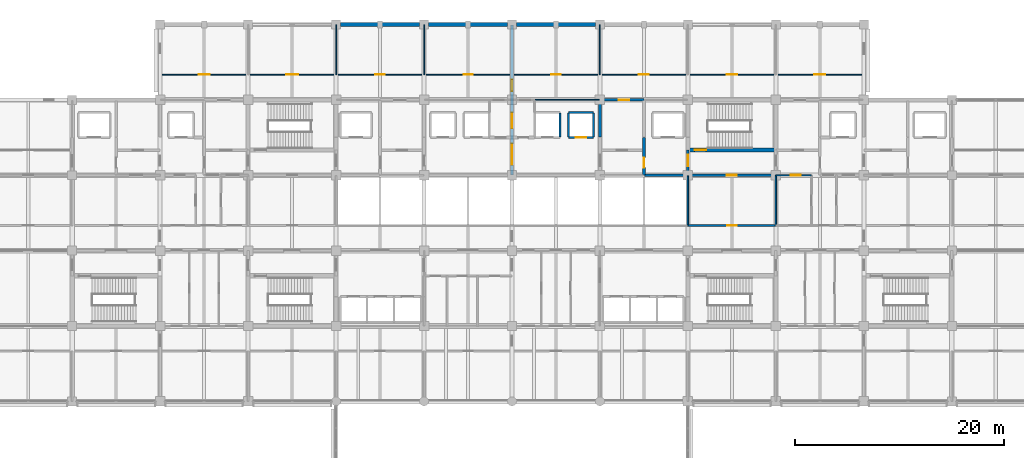
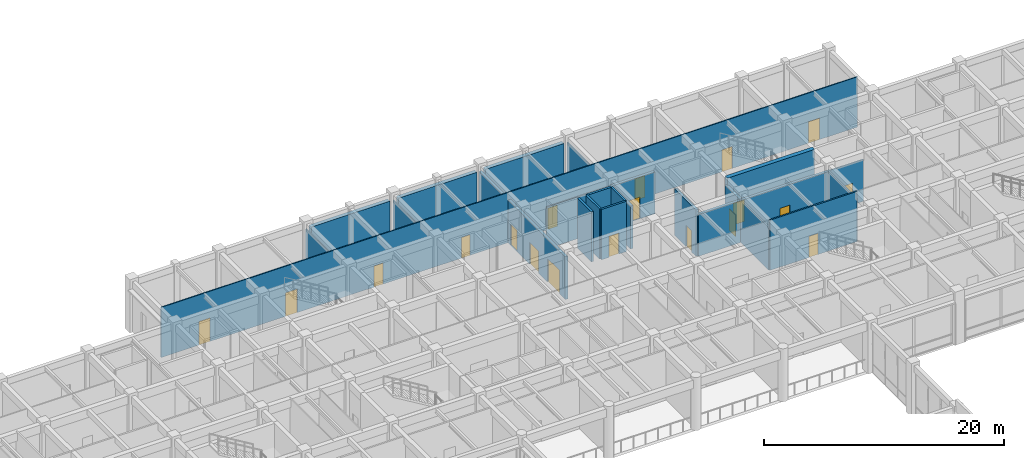
# One storey, part 51 of 68: 25 walls, 19 doors, 19 openings.
"""IFC4 building model written with IfcOpenShell, lengths in metres."""

from ifc_helpers import new_model, si_unit, direction, frame, frame_2d, origin, place, context, subcontext, project, spatial, rectangle, extrude, material, layer, layer_set, type_object, element, fill, save


model = new_model("IFC4")

# Units and contexts
model_context = context("Model", 3, precision=1e-05, world=origin(), true_north=direction((0.0, 1.0)))
body_context = subcontext(model_context, "Body", "Model", "MODEL_VIEW")
ifc_project = project(units=[si_unit("LENGTHUNIT", "METRE"), si_unit("AREAUNIT", "SQUARE_METRE"), si_unit("VOLUMEUNIT", "CUBIC_METRE"), si_unit("PLANEANGLEUNIT", "RADIAN"), si_unit("MASSUNIT", "GRAM", prefix="KILO")], contexts=[model_context])

# Site, building, storey
site_placement = place(None, origin())
site = spatial("IfcSite", under=ifc_project, at=site_placement, CompositionType="ELEMENT")
building_placement = place(site_placement, origin())
building = spatial("IfcBuilding", under=site, at=building_placement, Name="Chengyuan Square Courthouse", CompositionType="ELEMENT")
storey_placement = place(building_placement, frame((0.0, 0.0, 5.39990234375)))
storey = spatial("IfcBuildingStorey", under=building, at=storey_placement, Name="L02", CompositionType="ELEMENT", Elevation=5.39990234375)

# Walls
ifc_material_1 = material(Name="Concrete C40", Category="concrete")
ifc_layer_1 = layer(ifc_material_1, 0.3798828125)
ifc_layer_set_1 = layer_set([ifc_layer_1], Name="Concrete C40")
wall_type_1 = type_object("IfcWallType", Name="WL-EW1", PredefinedType="STANDARD", material=ifc_layer_set_1)
wall_1_placement = place(storey_placement, frame((67.6201171875, 115.199951171875, 0.0), z_axis=(0.0, 0.0, 1.0), x_axis=(1.0, 0.0, 0.0)))
element("IfcWall", 1, at=wall_1_placement, inside=storey, type_object=wall_type_1, Name="Exterior Wall WL-L02-E230", PredefinedType="STANDARD", context=body_context, shape_type="SweptSolid", body=[
    extrude(rectangle(XDim=7.559814453125, YDim=0.3798828125, at=frame_2d((3.77978515625, 0.0))), origin(), (0.0, 0.0, 1.0), 4.47021484375),
])
for number, where, z_axis, x_axis, name in (
    (2, (76.02001953125, 115.199951171875, 0.0), (0.0, 0.0, 1.0), (1.0, 0.0, 0.0), "Exterior Wall WL-L02-E231"),
    (3, (84.419921875, 115.199951171875, 0.0), (0.0, 0.0, 1.0), (1.0, 0.0, 0.0), "Exterior Wall WL-L02-E232"),
):
    element("IfcWall", number, at=place(storey_placement, frame(where, z_axis=z_axis, x_axis=x_axis)), inside=storey, type_object=wall_type_1, Name=name, PredefinedType="STANDARD", context=body_context, shape_type="SweptSolid", body=[
        extrude(rectangle(XDim=7.56005859375, YDim=0.3798828125, at=frame_2d((3.780029296875, 0.0))), origin(), (0.0, 0.0, 1.0), 4.47021484375),
    ])
ifc_layer_2 = layer(ifc_material_1, 0.25)
ifc_layer_set_2 = layer_set([ifc_layer_2], Name="Concrete C40")
wall_type_2 = type_object("IfcWallType", Name="WL-FW1", PredefinedType="STANDARD", material=ifc_layer_set_2)
wall_2_placement = place(storey_placement, frame((96.64990234375, 100.800048828125, 0.0), z_axis=(0.0, 0.0, 1.0), x_axis=(1.0, 0.0, 0.0)))
element("IfcWall", 4, at=wall_2_placement, inside=storey, type_object=wall_type_2, Name="Interior Wall WL-L02-I1141", PredefinedType="STANDARD", context=body_context, shape_type="SweptSolid", body=[
    extrude(rectangle(XDim=4.10009765625, YDim=0.25, at=frame_2d((2.050048828125, 0.0))), origin(), (0.0, 0.0, 1.0), 4.27001953125),
])

# Wall, opening, door
wall_3_placement = place(storey_placement, frame((100.800048828125, 100.800048828125, 0.0), z_axis=(0.0, 0.0, 1.0), x_axis=(1.0, 0.0, 0.0)))
wall_3 = element("IfcWall", 5, at=wall_3_placement, inside=storey, type_object=wall_type_2, Name="Interior Wall WL-L02-I1142", PredefinedType="STANDARD", context=body_context, shape_type="SweptSolid", body=[
    extrude(rectangle(XDim=8.39990234375, YDim=0.25, at=frame_2d((4.199951171875, 0.0))), origin(), (0.0, 0.0, 1.0), 4.27001953125),
])
opening_1_placement = place(wall_3_placement, frame((3.72509765625, 0.0, 0.0)))
opening_1 = element("IfcOpeningElement", 6, at=opening_1_placement, cuts=wall_3, Name="Opening DR-1014", PredefinedType="OPENING", context=body_context, shape_type="SweptSolid", body=[
    extrude(rectangle(XDim=0.949951171875, YDim=2.14990234375, at=frame_2d((0.47509765625, 1.074951171875))), frame((0.0, 0.136962890625, 0.0), z_axis=(0.0, -1.0, 0.0), x_axis=(1.0, 0.0, 0.0)), (0.0, 0.0, 1.0), 0.27392578125),
])
ifc_material_2 = material(Name="Steel Q235B Fire Door", Category="steel")
door_type_1 = type_object("IfcDoorType", Name="DT-12", OperationType="NOTDEFINED", PredefinedType="DOOR", material=ifc_material_2)
door_1_placement = place(opening_1_placement, origin())
door_1 = element("IfcDoor", 7, at=door_1_placement, inside=storey, type_object=door_type_1, Name="Interior Door DR-1014", OperationType="SINGLE_SWING_RIGHT", OverallHeight=2.14990234375, OverallWidth=0.949951171875, PredefinedType="DOOR", context=body_context, shape_type="SweptSolid", body=[
    extrude(rectangle(XDim=0.949951171875, YDim=2.14990234375, at=frame_2d((0.47509765625, 1.074951171875))), frame((0.0, 0.02490234375, 0.0), z_axis=(0.0, -1.0, 0.0), x_axis=(1.0, 0.0, 0.0)), (0.0, 0.0, 1.0), 0.050048828125),
])
fill(opening_1, door_1)

wall_4_placement = place(storey_placement, frame((92.39990234375, 108.0, 0.0), z_axis=(0.0, 0.0, 1.0), x_axis=(1.0, 0.0, 0.0)))
wall_4 = element("IfcWall", 8, at=wall_4_placement, inside=storey, type_object=wall_type_2, Name="Interior Wall WL-L02-I1193", PredefinedType="STANDARD", context=body_context, shape_type="SweptSolid", body=[
    extrude(rectangle(XDim=4.2001953125, YDim=0.25, at=frame_2d((2.10009765625, 0.0))), origin(), (0.0, 0.0, 1.0), 4.27001953125),
])
opening_2_placement = place(wall_4_placement, frame((1.784912109375, 0.0, 0.0)))
opening_2 = element("IfcOpeningElement", 9, at=opening_2_placement, cuts=wall_4, Name="Opening DR-1046", PredefinedType="OPENING", context=body_context, shape_type="SweptSolid", body=[
    extrude(rectangle(XDim=1.0, YDim=2.199951171875, at=frame_2d((0.5, 1.10009765625))), frame((0.0, 0.136962890625, 0.0), z_axis=(0.0, -1.0, 0.0), x_axis=(1.0, 0.0, 0.0)), (0.0, 0.0, 1.0), 0.27392578125),
])
door_type_2 = type_object("IfcDoorType", Name="DT-11", OperationType="NOTDEFINED", PredefinedType="DOOR", material=ifc_material_2)
door_2_placement = place(opening_2_placement, origin())
door_2 = element("IfcDoor", 10, at=door_2_placement, inside=storey, type_object=door_type_2, Name="Interior Door DR-1046", OperationType="SINGLE_SWING_RIGHT", OverallHeight=2.199951171875, OverallWidth=1.0, PredefinedType="DOOR", context=body_context, shape_type="SweptSolid", body=[
    extrude(rectangle(XDim=1.0, YDim=2.199951171875, at=frame_2d((0.5, 1.10009765625))), frame((0.0, 0.02490234375, 0.0), z_axis=(0.0, -1.0, 0.0), x_axis=(1.0, 0.0, 0.0)), (0.0, 0.0, 1.0), 0.050048828125),
])
fill(opening_2, door_2)

# Wall, openings, doors
wall_5_placement = place(storey_placement, frame((84.0, 100.800048828125, 0.0), z_axis=(0.0, 0.0, 1.0), x_axis=(0.0, 1.0, 0.0)))
wall_5 = element("IfcWall", 11, at=wall_5_placement, inside=storey, type_object=wall_type_2, Name="Interior Wall WL-L02-I1294", PredefinedType="STANDARD", context=body_context, shape_type="SweptSolid", body=[
    extrude(rectangle(XDim=14.35986328125, YDim=0.25, at=frame_2d((7.179931640625, 0.0))), origin(), (0.0, 0.0, 1.0), 4.3701171875),
])
opening_3_placement = place(wall_5_placement, frame((0.985107421875, 0.0, 0.0)))
opening_3 = element("IfcOpeningElement", 12, at=opening_3_placement, cuts=wall_5, Name="Opening DR-1057", PredefinedType="OPENING", context=body_context, shape_type="SweptSolid", body=[
    extrude(rectangle(XDim=2.0, YDim=2.39990234375, at=frame_2d((1.0, 1.199951171875))), frame((0.0, 0.136962890625, 0.0), z_axis=(0.0, -1.0, 0.0), x_axis=(1.0, 0.0, 0.0)), (0.0, 0.0, 1.0), 0.27392578125),
])
opening_4_placement = place(wall_5_placement, frame((4.465087890625, 0.0, 0.0)))
opening_4 = element("IfcOpeningElement", 13, at=opening_4_placement, cuts=wall_5, Name="Opening DR-1216", PredefinedType="OPENING", context=body_context, shape_type="SweptSolid", body=[
    extrude(rectangle(XDim=1.5, YDim=2.25, at=frame_2d((0.75, 1.125))), frame((0.0, 0.136962890625, 0.0), z_axis=(0.0, -1.0, 0.0), x_axis=(1.0, 0.0, 0.0)), (0.0, 0.0, 1.0), 0.27392578125),
])
opening_5_placement = place(wall_5_placement, frame((8.034912109375, 0.0, 0.0)))
opening_5 = element("IfcOpeningElement", 14, at=opening_5_placement, cuts=wall_5, Name="Opening DR-1219", PredefinedType="OPENING", context=body_context, shape_type="SweptSolid", body=[
    extrude(rectangle(XDim=1.10009765625, YDim=2.199951171875, at=frame_2d((0.550048828125, 1.10009765625))), frame((0.0, 0.136962890625, 0.0), z_axis=(0.0, -1.0, 0.0), x_axis=(1.0, 0.0, 0.0)), (0.0, 0.0, 1.0), 0.27392578125),
])
door_type_3 = type_object("IfcDoorType", Name="DT-10", OperationType="NOTDEFINED", PredefinedType="DOOR", material=ifc_material_2)
door_3_placement = place(opening_5_placement, origin())
door_3 = element("IfcDoor", 15, at=door_3_placement, inside=storey, type_object=door_type_3, Name="Interior Door DR-1219", OperationType="SINGLE_SWING_RIGHT", OverallHeight=2.199951171875, OverallWidth=1.10009765625, PredefinedType="DOOR", context=body_context, shape_type="SweptSolid", body=[
    extrude(rectangle(XDim=1.10009765625, YDim=2.199951171875, at=frame_2d((0.550048828125, 1.10009765625))), frame((0.0, 0.02490234375, 0.0), z_axis=(0.0, -1.0, 0.0), x_axis=(1.0, 0.0, 0.0)), (0.0, 0.0, 1.0), 0.050048828125),
])
fill(opening_5, door_3)
ifc_material_3 = material(Name="Steel Q235B Glazed Fire Door", Category="steel")
door_type_4 = type_object("IfcDoorType", Name="DT-19", OperationType="DOUBLE_DOOR_SINGLE_SWING", PredefinedType="DOOR", material=ifc_material_3)
door_4_placement = place(opening_4_placement, frame((1.5, 0.0, 0.0), z_axis=(0.0, 0.0, 1.0), x_axis=(-1.0, 0.0, 0.0)))
door_4 = element("IfcDoor", 16, at=door_4_placement, inside=storey, type_object=door_type_4, Name="Interior Door DR-1216", OperationType="DOUBLE_DOOR_SINGLE_SWING", OverallHeight=2.25, OverallWidth=1.5, PredefinedType="DOOR", context=body_context, shape_type="SweptSolid", body=[
    extrude(rectangle(XDim=1.5, YDim=2.25, at=frame_2d((0.75, 1.125))), frame((0.0, 0.02490234375, 0.0), z_axis=(0.0, -1.0, 0.0), x_axis=(1.0, 0.0, 0.0)), (0.0, 0.0, 1.0), 0.050048828125),
])
fill(opening_4, door_4)
door_type_5 = type_object("IfcDoorType", Name="DT-20", OperationType="DOUBLE_DOOR_SINGLE_SWING", PredefinedType="DOOR", material=ifc_material_3)
door_5_placement = place(opening_3_placement, frame((2.0, 0.0, 0.0), z_axis=(0.0, 0.0, 1.0), x_axis=(-1.0, 0.0, 0.0)))
door_5 = element("IfcDoor", 17, at=door_5_placement, inside=storey, type_object=door_type_5, Name="Interior Door DR-1057", OperationType="DOUBLE_DOOR_SINGLE_SWING", OverallHeight=2.39990234375, OverallWidth=2.0, PredefinedType="DOOR", context=body_context, shape_type="SweptSolid", body=[
    extrude(rectangle(XDim=2.0, YDim=2.39990234375, at=frame_2d((1.0, 1.199951171875))), frame((0.0, 0.02490234375, 0.0), z_axis=(0.0, -1.0, 0.0), x_axis=(1.0, 0.0, 0.0)), (0.0, 0.0, 1.0), 0.050048828125),
])
fill(opening_3, door_5)

# Wall
wall_6_placement = place(storey_placement, frame((92.39990234375, 104.449951171875, 0.0), z_axis=(0.0, 0.0, 1.0), x_axis=(0.0, 1.0, 0.0)))
element("IfcWall", 18, at=wall_6_placement, inside=storey, type_object=wall_type_2, Name="Interior Wall WL-L02-I1306", PredefinedType="STANDARD", context=body_context, shape_type="SweptSolid", body=[
    extrude(rectangle(XDim=3.5, YDim=0.25, at=frame_2d((1.75, 0.0))), origin(), (0.0, 0.0, 1.0), 4.3701171875),
])

# Wall, opening, door
wall_7_placement = place(storey_placement, frame((96.60009765625, 100.800048828125, 0.0), z_axis=(0.0, 0.0, 1.0), x_axis=(0.0, 1.0, 0.0)))
wall_7 = element("IfcWall", 19, at=wall_7_placement, inside=storey, type_object=wall_type_2, Name="Interior Wall WL-L02-I1310", PredefinedType="STANDARD", context=body_context, shape_type="SweptSolid", body=[
    extrude(rectangle(XDim=3.599853515625, YDim=0.25, at=frame_2d((1.7998046875, 0.0))), origin(), (0.0, 0.0, 1.0), 4.72021484375),
])
opening_6_placement = place(wall_7_placement, frame((0.72509765625, 0.0, 0.0)))
opening_6 = element("IfcOpeningElement", 20, at=opening_6_placement, cuts=wall_7, Name="Opening DR-1044", PredefinedType="OPENING", context=body_context, shape_type="SweptSolid", body=[
    extrude(rectangle(XDim=0.949951171875, YDim=2.14990234375, at=frame_2d((0.47509765625, 1.074951171875))), frame((0.0, 0.136962890625, 0.0), z_axis=(0.0, -1.0, 0.0), x_axis=(1.0, 0.0, 0.0)), (0.0, 0.0, 1.0), 0.27392578125),
])
door_6_placement = place(opening_6_placement, origin())
door_6 = element("IfcDoor", 21, at=door_6_placement, inside=storey, type_object=door_type_1, Name="Interior Door DR-1044", OperationType="SINGLE_SWING_RIGHT", OverallHeight=2.14990234375, OverallWidth=0.949951171875, PredefinedType="DOOR", context=body_context, shape_type="SweptSolid", body=[
    extrude(rectangle(XDim=0.949951171875, YDim=2.14990234375, at=frame_2d((0.47509765625, 1.074951171875))), frame((0.0, 0.02490234375, 0.0), z_axis=(0.0, -1.0, 0.0), x_axis=(1.0, 0.0, 0.0)), (0.0, 0.0, 1.0), 0.050048828125),
])
fill(opening_6, door_6)

wall_8_placement = place(storey_placement, frame((100.800048828125, 100.800048828125, 0.0), z_axis=(0.0, 0.0, 1.0), x_axis=(0.0, 1.0, 0.0)))
wall_8 = element("IfcWall", 22, at=wall_8_placement, inside=storey, type_object=wall_type_2, Name="Interior Wall WL-L02-I1321", PredefinedType="STANDARD", context=body_context, shape_type="SweptSolid", body=[
    extrude(rectangle(XDim=2.39990234375, YDim=0.25, at=frame_2d((1.199951171875, 0.0))), origin(), (0.0, 0.0, 1.0), 4.3701171875),
])
opening_7_placement = place(wall_8_placement, frame((0.8349609375, 0.0, 0.0)))
opening_7 = element("IfcOpeningElement", 23, at=opening_7_placement, cuts=wall_8, Name="Opening DR-1012", PredefinedType="OPENING", context=body_context, shape_type="SweptSolid", body=[
    extrude(rectangle(XDim=1.10009765625, YDim=2.199951171875, at=frame_2d((0.550048828125, 1.10009765625))), frame((0.0, 0.136962890625, 0.0), z_axis=(0.0, -1.0, 0.0), x_axis=(1.0, 0.0, 0.0)), (0.0, 0.0, 1.0), 0.27392578125),
])
door_7_placement = place(opening_7_placement, origin())
door_7 = element("IfcDoor", 24, at=door_7_placement, inside=storey, type_object=door_type_3, Name="Interior Door DR-1012", OperationType="SINGLE_SWING_RIGHT", OverallHeight=2.199951171875, OverallWidth=1.10009765625, PredefinedType="DOOR", context=body_context, shape_type="SweptSolid", body=[
    extrude(rectangle(XDim=1.10009765625, YDim=2.199951171875, at=frame_2d((0.550048828125, 1.10009765625))), frame((0.0, 0.02490234375, 0.0), z_axis=(0.0, -1.0, 0.0), x_axis=(1.0, 0.0, 0.0)), (0.0, 0.0, 1.0), 0.050048828125),
])
fill(opening_7, door_7)

ifc_material_4 = material(Name="Deliberation Room Sound-Insulated Partition")
ifc_layer_3 = layer(ifc_material_4, 0.14990234375)
ifc_layer_set_3 = layer_set([ifc_layer_3], Name="Deliberation Room Sound-Insulated Partition")
wall_type_3 = type_object("IfcWallType", Name="WL-PT3", PredefinedType="STANDARD", material=ifc_layer_set_3)
wall_9_placement = place(storey_placement, frame((100.800048828125, 96.0, 0.0), z_axis=(0.0, 0.0, 1.0), x_axis=(1.0, 0.0, 0.0)))
wall_9 = element("IfcWall", 25, at=wall_9_placement, inside=storey, type_object=wall_type_3, Name="Interior Wall WL-L02-I1119", PredefinedType="STANDARD", context=body_context, shape_type="SweptSolid", body=[
    extrude(rectangle(XDim=8.39990234375, YDim=0.14990234375, at=frame_2d((4.199951171875, 0.0))), origin(), (0.0, 0.0, 1.0), 5.1201171875),
])
opening_8_placement = place(wall_9_placement, frame((3.75, 0.0, 0.0)))
opening_8 = element("IfcOpeningElement", 26, at=opening_8_placement, cuts=wall_9, Name="Opening DR-1137", PredefinedType="OPENING", context=body_context, shape_type="SweptSolid", body=[
    extrude(rectangle(XDim=0.89990234375, YDim=2.14990234375, at=frame_2d((0.449951171875, 1.074951171875))), frame((0.0, 0.0869140625, 0.0), z_axis=(0.0, -1.0, 0.0), x_axis=(1.0, 0.0, 0.0)), (0.0, 0.0, 1.0), 0.173828125),
])
ifc_material_5 = material(Name="Acoustic Solid-Core Timber Door", Category="wood")
door_type_6 = type_object("IfcDoorType", Name="DT-27", OperationType="NOTDEFINED", PredefinedType="DOOR", material=ifc_material_5)
door_8_placement = place(opening_8_placement, origin())
door_8 = element("IfcDoor", 27, at=door_8_placement, inside=storey, type_object=door_type_6, Name="Interior Door DR-1137", OperationType="SINGLE_SWING_LEFT", OverallHeight=2.14990234375, OverallWidth=0.89990234375, PredefinedType="DOOR", context=body_context, shape_type="SweptSolid", body=[
    extrude(rectangle(XDim=0.89990234375, YDim=2.14990234375, at=frame_2d((0.449951171875, 1.074951171875))), frame((0.0, 0.02490234375, 0.0), z_axis=(0.0, -1.0, 0.0), x_axis=(1.0, 0.0, 0.0)), (0.0, 0.0, 1.0), 0.050048828125),
])
fill(opening_8, door_8)

# Walls
wall_10_placement = place(storey_placement, frame((100.800048828125, 96.050048828125, 0.0), z_axis=(0.0, 0.0, 1.0), x_axis=(0.0, 1.0, 0.0)))
element("IfcWall", 28, at=wall_10_placement, inside=storey, type_object=wall_type_3, Name="Interior Wall WL-L02-I1320", PredefinedType="STANDARD", context=body_context, shape_type="SweptSolid", body=[
    extrude(rectangle(XDim=4.699951171875, YDim=0.14990234375, at=frame_2d((2.35009765625, 0.0))), origin(), (0.0, 0.0, 1.0), 4.3701171875),
])
wall_11_placement = place(storey_placement, frame((109.199951171875, 96.0, 0.0), z_axis=(0.0, 0.0, 1.0), x_axis=(0.0, 1.0, 0.0)))
element("IfcWall", 29, at=wall_11_placement, inside=storey, type_object=wall_type_3, Name="Interior Wall WL-L02-I1328", PredefinedType="STANDARD", context=body_context, shape_type="SweptSolid", body=[
    extrude(rectangle(XDim=4.800048828125, YDim=0.14990234375, at=frame_2d((2.39990234375, 0.0))), origin(), (0.0, 0.0, 1.0), 4.3701171875),
])

# Wall, opening, door
ifc_material_6 = material(Name="Gypsum Plasterboard Acoustic Stud Partition")
ifc_layer_4 = layer(ifc_material_6, 0.10009765625)
ifc_layer_set_4 = layer_set([ifc_layer_4], Name="Gypsum Plasterboard Acoustic Stud Partition")
wall_type_4 = type_object("IfcWallType", Name="WL-PT6", PredefinedType="STANDARD", material=ifc_layer_set_4)
wall_12_placement = place(storey_placement, frame((109.199951171875, 100.800048828125, 0.0), z_axis=(0.0, 0.0, 1.0), x_axis=(1.0, 0.0, 0.0)))
wall_12 = element("IfcWall", 30, at=wall_12_placement, inside=storey, type_object=wall_type_4, Name="Interior Wall WL-L02-I1143", PredefinedType="STANDARD", context=body_context, shape_type="SweptSolid", body=[
    extrude(rectangle(XDim=3.400146484375, YDim=0.10009765625, at=frame_2d((1.7001953125, 0.0))), origin(), (0.0, 0.0, 1.0), 4.27001953125),
])
opening_9_placement = place(wall_12_placement, frame((1.405029296875, 0.0, 0.0)))
opening_9 = element("IfcOpeningElement", 31, at=opening_9_placement, cuts=wall_12, Name="Opening DR-1072", PredefinedType="OPENING", context=body_context, shape_type="SweptSolid", body=[
    extrude(rectangle(XDim=0.9599609375, YDim=2.199951171875, at=frame_2d((0.47998046875, 1.10009765625))), frame((0.0, 0.06201171875, 0.0), z_axis=(0.0, -1.0, 0.0), x_axis=(1.0, 0.0, 0.0)), (0.0, 0.0, 1.0), 0.1240234375),
])
door_type_7 = type_object("IfcDoorType", Name="DT-30", OperationType="NOTDEFINED", PredefinedType="DOOR", material=ifc_material_5)
door_9_placement = place(opening_9_placement, origin())
door_9 = element("IfcDoor", 32, at=door_9_placement, inside=storey, type_object=door_type_7, Name="Interior Door DR-1072", OperationType="SINGLE_SWING_LEFT", OverallHeight=2.199951171875, OverallWidth=0.9599609375, PredefinedType="DOOR", context=body_context, shape_type="SweptSolid", body=[
    extrude(rectangle(XDim=0.9599609375, YDim=2.199951171875, at=frame_2d((0.47998046875, 1.10009765625))), frame((0.0, 0.02490234375, 0.0), z_axis=(0.0, -1.0, 0.0), x_axis=(1.0, 0.0, 0.0)), (0.0, 0.0, 1.0), 0.050048828125),
])
fill(opening_9, door_9)

# Wall
wall_13_placement = place(storey_placement, frame((86.199951171875, 108.0, 0.0), z_axis=(0.0, 0.0, 1.0), x_axis=(1.0, 0.0, 0.0)))
element("IfcWall", 33, at=wall_13_placement, inside=storey, type_object=wall_type_4, Name="Interior Wall WL-L02-I1192", PredefinedType="STANDARD", context=body_context, shape_type="SweptSolid", body=[
    extrude(rectangle(XDim=6.150146484375, YDim=0.10009765625, at=frame_2d((3.0751953125, 0.0))), origin(), (0.0, 0.0, 1.0), 4.27001953125),
])

# Wall, openings, doors
wall_14_placement = place(storey_placement, frame((50.43994140625, 110.39990234375, 0.0), z_axis=(0.0, 0.0, 1.0), x_axis=(1.0, 0.0, 0.0)))
wall_14 = element("IfcWall", 34, at=wall_14_placement, inside=storey, type_object=wall_type_4, Name="Interior Wall WL-L02-I1198", PredefinedType="STANDARD", context=body_context, shape_type="SweptSolid", body=[
    extrude(rectangle(XDim=67.1201171875, YDim=0.10009765625, at=frame_2d((33.56005859375, 0.0))), origin(), (0.0, 0.0, 1.0), 5.1201171875),
])
opening_10_placement = place(wall_14_placement, frame((3.64990234375, 0.0, 0.0)))
opening_10 = element("IfcOpeningElement", 35, at=opening_10_placement, cuts=wall_14, Name="Opening DR-1220", PredefinedType="OPENING", context=body_context, shape_type="SweptSolid", body=[
    extrude(rectangle(XDim=1.06005859375, YDim=2.39990234375, at=frame_2d((0.530029296875, 1.199951171875))), frame((0.0, 0.06201171875, 0.0), z_axis=(0.0, -1.0, 0.0), x_axis=(1.0, 0.0, 0.0)), (0.0, 0.0, 1.0), 0.1240234375),
])
opening_11_placement = place(wall_14_placement, frame((11.989990234375, 0.0, 0.0)))
opening_11 = element("IfcOpeningElement", 36, at=opening_11_placement, cuts=wall_14, Name="Opening DR-1221", PredefinedType="OPENING", context=body_context, shape_type="SweptSolid", body=[
    extrude(rectangle(XDim=1.139892578125, YDim=2.39990234375, at=frame_2d((0.56982421875, 1.199951171875))), frame((0.0, 0.06201171875, 0.0), z_axis=(0.0, -1.0, 0.0), x_axis=(1.0, 0.0, 0.0)), (0.0, 0.0, 1.0), 0.1240234375),
])
opening_12_placement = place(wall_14_placement, frame((20.510009765625, 0.0, 0.0)))
opening_12 = element("IfcOpeningElement", 37, at=opening_12_placement, cuts=wall_14, Name="Opening DR-1222", PredefinedType="OPENING", context=body_context, shape_type="SweptSolid", body=[
    extrude(rectangle(XDim=0.89990234375, YDim=2.14990234375, at=frame_2d((0.449951171875, 1.074951171875))), frame((0.0, 0.06201171875, 0.0), z_axis=(0.0, -1.0, 0.0), x_axis=(1.0, 0.0, 0.0)), (0.0, 0.0, 1.0), 0.1240234375),
])
opening_13_placement = place(wall_14_placement, frame((28.929931640625, 0.0, 0.0)))
opening_13 = element("IfcOpeningElement", 38, at=opening_13_placement, cuts=wall_14, Name="Opening DR-1223", PredefinedType="OPENING", context=body_context, shape_type="SweptSolid", body=[
    extrude(rectangle(XDim=0.860107421875, YDim=2.10009765625, at=frame_2d((0.43017578125, 1.050048828125))), frame((0.0, 0.06201171875, 0.0), z_axis=(0.0, -1.0, 0.0), x_axis=(1.0, 0.0, 0.0)), (0.0, 0.0, 1.0), 0.1240234375),
])
opening_14_placement = place(wall_14_placement, frame((37.300048828125, 0.0, 0.0)))
opening_14 = element("IfcOpeningElement", 39, at=opening_14_placement, cuts=wall_14, Name="Opening DR-1224", PredefinedType="OPENING", context=body_context, shape_type="SweptSolid", body=[
    extrude(rectangle(XDim=0.919921875, YDim=2.14990234375, at=frame_2d((0.4599609375, 1.074951171875))), frame((0.0, 0.06201171875, 0.0), z_axis=(0.0, -1.0, 0.0), x_axis=(1.0, 0.0, 0.0)), (0.0, 0.0, 1.0), 0.1240234375),
])
opening_15_placement = place(wall_14_placement, frame((45.679931640625, 0.0, 0.0)))
opening_15 = element("IfcOpeningElement", 40, at=opening_15_placement, cuts=wall_14, Name="Opening DR-1225", PredefinedType="OPENING", context=body_context, shape_type="SweptSolid", body=[
    extrude(rectangle(XDim=0.9599609375, YDim=2.199951171875, at=frame_2d((0.47998046875, 1.10009765625))), frame((0.0, 0.06201171875, 0.0), z_axis=(0.0, -1.0, 0.0), x_axis=(1.0, 0.0, 0.0)), (0.0, 0.0, 1.0), 0.1240234375),
])
opening_16_placement = place(wall_14_placement, frame((54.06005859375, 0.0, 0.0)))
opening_16 = element("IfcOpeningElement", 41, at=opening_16_placement, cuts=wall_14, Name="Opening DR-1226", PredefinedType="OPENING", context=body_context, shape_type="SweptSolid", body=[
    extrude(rectangle(XDim=1.0, YDim=2.25, at=frame_2d((0.5, 1.125))), frame((0.0, 0.06201171875, 0.0), z_axis=(0.0, -1.0, 0.0), x_axis=(1.0, 0.0, 0.0)), (0.0, 0.0, 1.0), 0.1240234375),
])
opening_17_placement = place(wall_14_placement, frame((62.419921875, 0.0, 0.0)))
opening_17 = element("IfcOpeningElement", 42, at=opening_17_placement, cuts=wall_14, Name="Opening DR-1227", PredefinedType="OPENING", context=body_context, shape_type="SweptSolid", body=[
    extrude(rectangle(XDim=1.0400390625, YDim=2.199951171875, at=frame_2d((0.52001953125, 1.10009765625))), frame((0.0, 0.06201171875, 0.0), z_axis=(0.0, -1.0, 0.0), x_axis=(1.0, 0.0, 0.0)), (0.0, 0.0, 1.0), 0.1240234375),
])
door_10_placement = place(opening_12_placement, origin())
door_10 = element("IfcDoor", 43, at=door_10_placement, inside=storey, type_object=door_type_6, Name="Interior Door DR-1222", OperationType="SINGLE_SWING_LEFT", OverallHeight=2.14990234375, OverallWidth=0.89990234375, PredefinedType="DOOR", context=body_context, shape_type="SweptSolid", body=[
    extrude(rectangle(XDim=0.89990234375, YDim=2.14990234375, at=frame_2d((0.449951171875, 1.074951171875))), frame((0.0, 0.02490234375, 0.0), z_axis=(0.0, -1.0, 0.0), x_axis=(1.0, 0.0, 0.0)), (0.0, 0.0, 1.0), 0.050048828125),
])
fill(opening_12, door_10)
door_type_8 = type_object("IfcDoorType", Name="DT-28", OperationType="NOTDEFINED", PredefinedType="DOOR", material=ifc_material_5)
door_11_placement = place(opening_13_placement, origin())
door_11 = element("IfcDoor", 44, at=door_11_placement, inside=storey, type_object=door_type_8, Name="Interior Door DR-1223", OperationType="SINGLE_SWING_RIGHT", OverallHeight=2.10009765625, OverallWidth=0.860107421875, PredefinedType="DOOR", context=body_context, shape_type="SweptSolid", body=[
    extrude(rectangle(XDim=0.860107421875, YDim=2.10009765625, at=frame_2d((0.43017578125, 1.050048828125))), frame((0.0, 0.02490234375, 0.0), z_axis=(0.0, -1.0, 0.0), x_axis=(1.0, 0.0, 0.0)), (0.0, 0.0, 1.0), 0.050048828125),
])
fill(opening_13, door_11)
door_type_9 = type_object("IfcDoorType", Name="DT-29", OperationType="NOTDEFINED", PredefinedType="DOOR", material=ifc_material_5)
door_12_placement = place(opening_14_placement, origin())
door_12 = element("IfcDoor", 45, at=door_12_placement, inside=storey, type_object=door_type_9, Name="Interior Door DR-1224", OperationType="SINGLE_SWING_LEFT", OverallHeight=2.14990234375, OverallWidth=0.919921875, PredefinedType="DOOR", context=body_context, shape_type="SweptSolid", body=[
    extrude(rectangle(XDim=0.919921875, YDim=2.14990234375, at=frame_2d((0.4599609375, 1.074951171875))), frame((0.0, 0.02490234375, 0.0), z_axis=(0.0, -1.0, 0.0), x_axis=(1.0, 0.0, 0.0)), (0.0, 0.0, 1.0), 0.050048828125),
])
fill(opening_14, door_12)
door_13_placement = place(opening_15_placement, origin())
door_13 = element("IfcDoor", 46, at=door_13_placement, inside=storey, type_object=door_type_7, Name="Interior Door DR-1225", OperationType="SINGLE_SWING_RIGHT", OverallHeight=2.199951171875, OverallWidth=0.9599609375, PredefinedType="DOOR", context=body_context, shape_type="SweptSolid", body=[
    extrude(rectangle(XDim=0.9599609375, YDim=2.199951171875, at=frame_2d((0.47998046875, 1.10009765625))), frame((0.0, 0.02490234375, 0.0), z_axis=(0.0, -1.0, 0.0), x_axis=(1.0, 0.0, 0.0)), (0.0, 0.0, 1.0), 0.050048828125),
])
fill(opening_15, door_13)
door_type_10 = type_object("IfcDoorType", Name="DT-31", OperationType="NOTDEFINED", PredefinedType="DOOR", material=ifc_material_5)
door_14_placement = place(opening_16_placement, origin())
door_14 = element("IfcDoor", 47, at=door_14_placement, inside=storey, type_object=door_type_10, Name="Interior Door DR-1226", OperationType="SINGLE_SWING_LEFT", OverallHeight=2.25, OverallWidth=1.0, PredefinedType="DOOR", context=body_context, shape_type="SweptSolid", body=[
    extrude(rectangle(XDim=1.0, YDim=2.25, at=frame_2d((0.5, 1.125))), frame((0.0, 0.02490234375, 0.0), z_axis=(0.0, -1.0, 0.0), x_axis=(1.0, 0.0, 0.0)), (0.0, 0.0, 1.0), 0.050048828125),
])
fill(opening_16, door_14)
door_type_11 = type_object("IfcDoorType", Name="DT-32", OperationType="NOTDEFINED", PredefinedType="DOOR", material=ifc_material_5)
door_15_placement = place(opening_17_placement, origin())
door_15 = element("IfcDoor", 48, at=door_15_placement, inside=storey, type_object=door_type_11, Name="Interior Door DR-1227", OperationType="SINGLE_SWING_RIGHT", OverallHeight=2.199951171875, OverallWidth=1.0400390625, PredefinedType="DOOR", context=body_context, shape_type="SweptSolid", body=[
    extrude(rectangle(XDim=1.0400390625, YDim=2.199951171875, at=frame_2d((0.52001953125, 1.10009765625))), frame((0.0, 0.02490234375, 0.0), z_axis=(0.0, -1.0, 0.0), x_axis=(1.0, 0.0, 0.0)), (0.0, 0.0, 1.0), 0.050048828125),
])
fill(opening_17, door_15)
door_type_12 = type_object("IfcDoorType", Name="DT-42", OperationType="NOTDEFINED", PredefinedType="DOOR", material=ifc_material_5)
door_16_placement = place(opening_10_placement, origin())
door_16 = element("IfcDoor", 49, at=door_16_placement, inside=storey, type_object=door_type_12, Name="Interior Door DR-1220", OperationType="SINGLE_SWING_LEFT", OverallHeight=2.39990234375, OverallWidth=1.06005859375, PredefinedType="DOOR", context=body_context, shape_type="SweptSolid", body=[
    extrude(rectangle(XDim=1.06005859375, YDim=2.39990234375, at=frame_2d((0.530029296875, 1.199951171875))), frame((0.0, 0.02490234375, 0.0), z_axis=(0.0, -1.0, 0.0), x_axis=(1.0, 0.0, 0.0)), (0.0, 0.0, 1.0), 0.050048828125),
])
fill(opening_10, door_16)
door_type_13 = type_object("IfcDoorType", Name="DT-43", OperationType="NOTDEFINED", PredefinedType="DOOR", material=ifc_material_5)
door_17_placement = place(opening_11_placement, origin())
door_17 = element("IfcDoor", 50, at=door_17_placement, inside=storey, type_object=door_type_13, Name="Interior Door DR-1221", OperationType="SINGLE_SWING_RIGHT", OverallHeight=2.39990234375, OverallWidth=1.139892578125, PredefinedType="DOOR", context=body_context, shape_type="SweptSolid", body=[
    extrude(rectangle(XDim=1.139892578125, YDim=2.39990234375, at=frame_2d((0.56982421875, 1.199951171875))), frame((0.0, 0.02490234375, 0.0), z_axis=(0.0, -1.0, 0.0), x_axis=(1.0, 0.0, 0.0)), (0.0, 0.0, 1.0), 0.050048828125),
])
fill(opening_11, door_17)

# Walls
for number, where, z_axis, x_axis, name in (
    (51, (67.199951171875, 110.39990234375, 0.0), (0.0, 0.0, 1.0), (0.0, 1.0, 0.0), "Interior Wall WL-L02-I1270"),
    (52, (75.60009765625, 110.39990234375, 0.0), (0.0, 0.0, 1.0), (0.0, 1.0, 0.0), "Interior Wall WL-L02-I1285"),
    (53, (92.39990234375, 110.39990234375, 0.0), (0.0, 0.0, 1.0), (0.0, 1.0, 0.0), "Interior Wall WL-L02-I1307"),
):
    element("IfcWall", number, at=place(storey_placement, frame(where, z_axis=z_axis, x_axis=x_axis)), inside=storey, type_object=wall_type_4, Name=name, PredefinedType="STANDARD", context=body_context, shape_type="SweptSolid", body=[
        extrude(rectangle(XDim=4.760009765625, YDim=0.10009765625, at=frame_2d((2.3798828125, 0.0))), origin(), (0.0, 0.0, 1.0), 4.3701171875),
    ])

# Wall, opening, door
ifc_material_7 = material(Name="Reinforced Masonry Shaft Enclosure", Category="masonry")
ifc_layer_5 = layer(ifc_material_7, 0.199951171875)
ifc_layer_set_5 = layer_set([ifc_layer_5], Name="Reinforced Masonry Shaft Enclosure")
wall_type_5 = type_object("IfcWallType", Name="WL-SH1", PredefinedType="STANDARD", material=ifc_layer_set_5)
wall_15_placement = place(storey_placement, frame((89.39990234375, 104.39990234375, 0.0), z_axis=(0.0, 0.0, 1.0), x_axis=(1.0, 0.0, 0.0)))
wall_15 = element("IfcWall", 54, at=wall_15_placement, inside=storey, type_object=wall_type_5, Name="Interior Wall WL-L02-I1170", PredefinedType="STANDARD", context=body_context, shape_type="SweptSolid", body=[
    extrude(rectangle(XDim=2.400146484375, YDim=0.199951171875, at=frame_2d((1.2001953125, 0.0))), origin(), (0.0, 0.0, 1.0), 5.1201171875),
])
opening_18_placement = place(wall_15_placement, frame((0.699951171875, 0.0, 0.0)))
opening_18 = element("IfcOpeningElement", 55, at=opening_18_placement, cuts=wall_15, Name="Opening LD-044", PredefinedType="OPENING", context=body_context, shape_type="SweptSolid", body=[
    extrude(rectangle(XDim=1.0, YDim=2.14990234375, at=frame_2d((0.5, 1.074951171875))), frame((0.0, 0.112060546875, 0.0), z_axis=(0.0, -1.0, 0.0), x_axis=(1.0, 0.0, 0.0)), (0.0, 0.0, 1.0), 0.223876953125),
])
ifc_material_8 = material(Name="Stainless Steel S30408 Lift Landing Door", Category="steel")
door_type_14 = type_object("IfcDoorType", Name="DT-07", OperationType="DOUBLE_DOOR_SLIDING", PredefinedType="DOOR", material=ifc_material_8)
door_18_placement = place(opening_18_placement, origin())
door_18 = element("IfcDoor", 56, at=door_18_placement, inside=storey, type_object=door_type_14, Name="Lift Landing Door LF-J4 L02", OperationType="DOUBLE_DOOR_SLIDING", OverallHeight=2.14990234375, OverallWidth=1.0, PredefinedType="DOOR", context=body_context, shape_type="SweptSolid", body=[
    extrude(rectangle(XDim=1.0, YDim=2.14990234375, at=frame_2d((0.5, 1.074951171875))), frame((0.0, 0.02490234375, 0.0), z_axis=(0.0, -1.0, 0.0), x_axis=(1.0, 0.0, 0.0)), (0.0, 0.0, 1.0), 0.050048828125),
])
fill(opening_18, door_18)

# Walls
wall_16_placement = place(storey_placement, frame((89.39990234375, 106.800048828125, 0.0), z_axis=(0.0, 0.0, 1.0), x_axis=(1.0, 0.0, 0.0)))
element("IfcWall", 57, at=wall_16_placement, inside=storey, type_object=wall_type_5, Name="Interior Wall WL-L02-I1181", PredefinedType="STANDARD", context=body_context, shape_type="SweptSolid", body=[
    extrude(rectangle(XDim=2.400146484375, YDim=0.199951171875, at=frame_2d((1.2001953125, 0.0))), origin(), (0.0, 0.0, 1.0), 5.1201171875),
])
for number, where, z_axis, x_axis, name in (
    (58, (88.60009765625, 104.449951171875, 0.0), (0.0, 0.0, 1.0), (0.0, 1.0, 0.0), "Interior Wall WL-L02-I1298"),
    (59, (89.39990234375, 104.449951171875, 0.0), (0.0, 0.0, 1.0), (0.0, 1.0, 0.0), "Interior Wall WL-L02-I1299"),
    (60, (91.800048828125, 104.449951171875, 0.0), (0.0, 0.0, 1.0), (0.0, 1.0, 0.0), "Interior Wall WL-L02-I1301"),
):
    element("IfcWall", number, at=place(storey_placement, frame(where, z_axis=z_axis, x_axis=x_axis)), inside=storey, type_object=wall_type_5, Name=name, PredefinedType="STANDARD", context=body_context, shape_type="SweptSolid", body=[
        extrude(rectangle(XDim=2.300048828125, YDim=0.199951171875, at=frame_2d((1.14990234375, 0.0))), origin(), (0.0, 0.0, 1.0), 5.1201171875),
    ])

# Wall, opening, door
ifc_material_9 = material(Name="Concrete C50", Category="concrete")
ifc_layer_6 = layer(ifc_material_9, 0.39990234375)
ifc_layer_set_6 = layer_set([ifc_layer_6], Name="Concrete C50")
wall_type_6 = type_object("IfcWallType", Name="WL-SW1", PredefinedType="SHEAR", material=ifc_layer_set_6)
wall_17_placement = place(storey_placement, frame((100.800048828125, 103.199951171875, 0.0), z_axis=(0.0, 0.0, 1.0), x_axis=(1.0, 0.0, 0.0)))
wall_17 = element("IfcWall", 61, at=wall_17_placement, inside=storey, type_object=wall_type_6, Name="Interior Wall WL-L02-I1158", PredefinedType="SHEAR", context=body_context, shape_type="SweptSolid", body=[
    extrude(rectangle(XDim=8.39990234375, YDim=0.39990234375, at=frame_2d((4.199951171875, 0.0))), origin(), (0.0, 0.0, 1.0), 5.1201171875),
])
opening_19_placement = place(wall_17_placement, frame((0.64990234375, 0.0, 0.0)))
opening_19 = element("IfcOpeningElement", 62, at=opening_19_placement, cuts=wall_17, Name="Opening DR-1000", PredefinedType="OPENING", context=body_context, shape_type="SweptSolid", body=[
    extrude(rectangle(XDim=1.10009765625, YDim=2.199951171875, at=frame_2d((0.550048828125, 1.10009765625))), frame((0.0, 0.2119140625, 0.0), z_axis=(0.0, -1.0, 0.0), x_axis=(1.0, 0.0, 0.0)), (0.0, 0.0, 1.0), 0.423828125),
])
door_19_placement = place(opening_19_placement, origin())
door_19 = element("IfcDoor", 63, at=door_19_placement, inside=storey, type_object=door_type_3, Name="Smoke-Proof Stairwell Fire Door ST-2 DR-1000", OperationType="SINGLE_SWING_RIGHT", OverallHeight=2.199951171875, OverallWidth=1.10009765625, PredefinedType="DOOR", context=body_context, shape_type="SweptSolid", body=[
    extrude(rectangle(XDim=1.10009765625, YDim=2.199951171875, at=frame_2d((0.550048828125, 1.10009765625))), frame((0.0, 0.02490234375, 0.0), z_axis=(0.0, -1.0, 0.0), x_axis=(1.0, 0.0, 0.0)), (0.0, 0.0, 1.0), 0.050048828125),
])
fill(opening_19, door_19)

save(model, "model.ifc")
